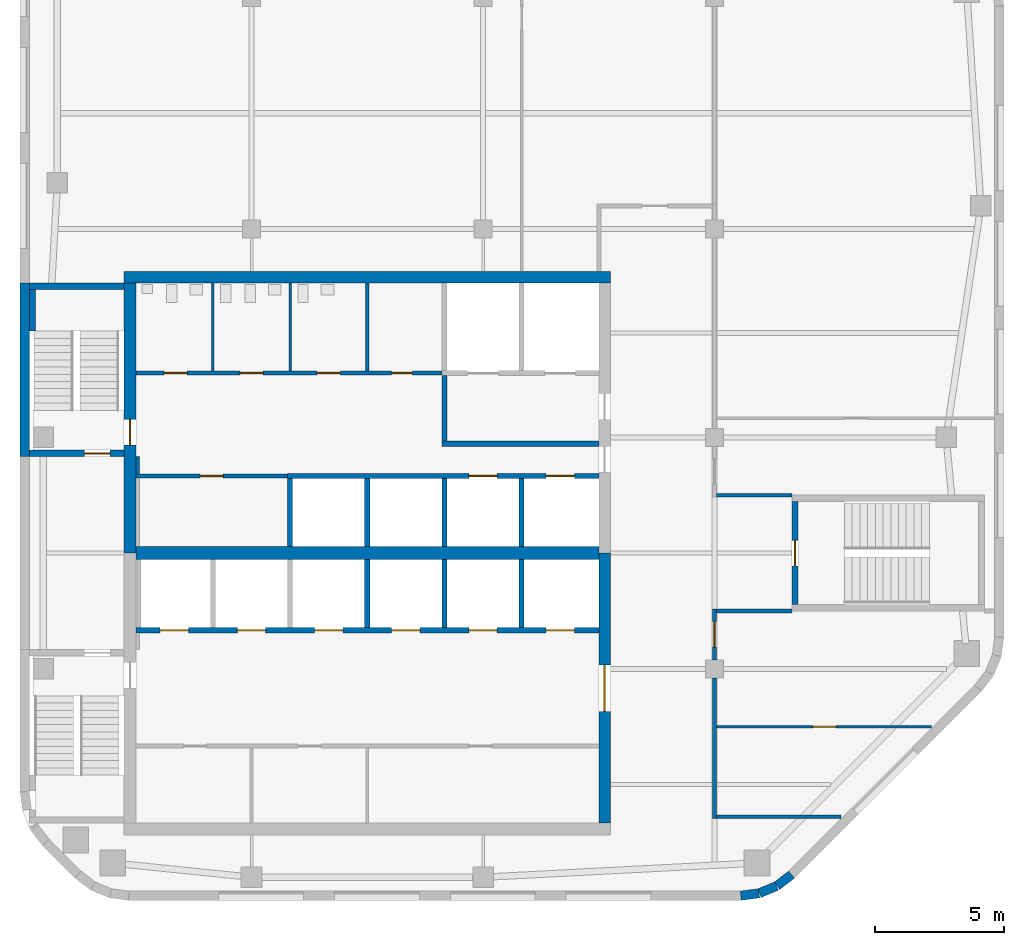
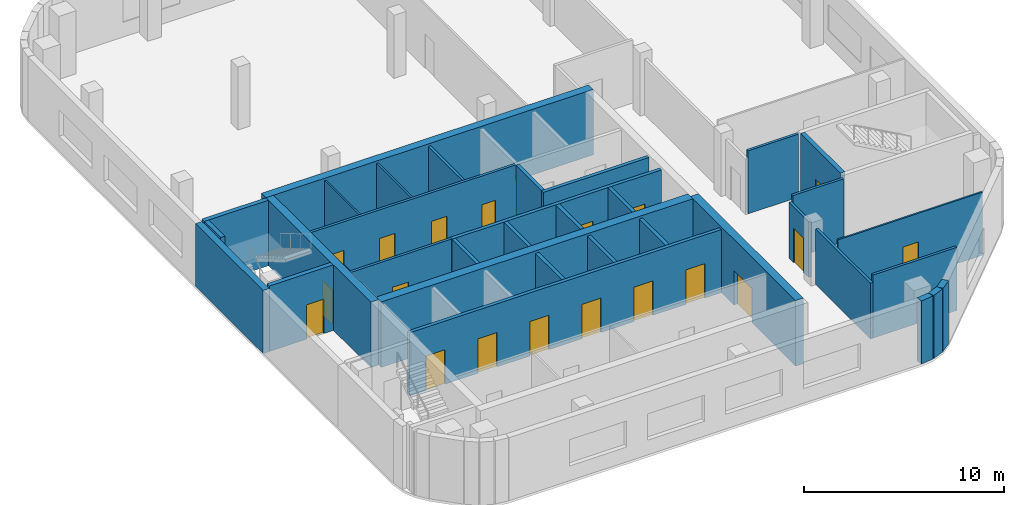
# One storey, part 3 of 7: 35 walls, 19 doors, 19 openings.
"""IFC4 building model written with IfcOpenShell, lengths in metres."""

from ifc_helpers import new_model, si_unit, direction, frame, frame_2d, origin, place, context, subcontext, project, spatial, rectangle, extrude, material, layer, layer_set, type_object, element, fill, save


model = new_model("IFC4")

# Units and contexts
model_context = context("Model", 3, precision=1e-05, world=origin(), true_north=direction((0.0, 1.0)))
body_context = subcontext(model_context, "Body", "Model", "MODEL_VIEW")
ifc_project = project(units=[si_unit("LENGTHUNIT", "METRE"), si_unit("AREAUNIT", "SQUARE_METRE"), si_unit("VOLUMEUNIT", "CUBIC_METRE"), si_unit("PLANEANGLEUNIT", "RADIAN"), si_unit("MASSUNIT", "GRAM", prefix="KILO")], contexts=[model_context])

# Site, building, storey
site_placement = place(None, origin())
site = spatial("IfcSite", under=ifc_project, at=site_placement, CompositionType="ELEMENT")
building_placement = place(site_placement, origin())
building = spatial("IfcBuilding", under=site, at=building_placement, Name="Cinnabar Reach Civic Tower", CompositionType="ELEMENT")
storey_placement = place(building_placement, frame((0.0, 0.0, 255.0)))
storey = spatial("IfcBuildingStorey", under=building, at=storey_placement, Name="L61", CompositionType="ELEMENT", Elevation=255.0)

# Walls
ifc_material_1 = material(Name="Facing brick with insulated backing", Category="masonry")
ifc_layer_1 = layer(ifc_material_1, 0.36)
ifc_layer_set_1 = layer_set([ifc_layer_1], Name="Brick corner wall")
wall_type_1 = type_object("IfcWallType", Name="Brick corner wall", PredefinedType="STANDARD", material=ifc_layer_set_1)
for number, where, z_axis, x_axis, name in (
    (1, (28.0186, 18.183, 0.0), (0.0, 0.0, 1.0), (0.99144092581, 0.13055608231, 0.0), "Brick corner wall"),
    (2, (28.7473, 18.2819, 0.0), (0.0, 0.0, 1.0), (0.923871547278, 0.382702709855, 0.0), "Brick corner wall"),
):
    element("IfcWall", number, at=place(storey_placement, frame(where, z_axis=z_axis, x_axis=x_axis)), inside=storey, type_object=wall_type_1, Name=name, PredefinedType="STANDARD", context=body_context, shape_type="SweptSolid", body=[
        extrude(rectangle(XDim=0.7131, YDim=0.36, at=frame_2d((0.3565, 0.0))), origin(), (0.0, 0.0, 1.0), 3.85),
    ])
wall_1_placement = place(storey_placement, frame((29.4255, 18.566, 0.0), z_axis=(0.0, 0.0, 1.0), x_axis=(0.793321924995, 0.608802368033, 0.0)))
element("IfcWall", 3, at=wall_1_placement, inside=storey, type_object=wall_type_1, Name="Brick corner wall", PredefinedType="STANDARD", context=body_context, shape_type="SweptSolid", body=[
    extrude(rectangle(XDim=0.7132, YDim=0.36, at=frame_2d((0.3566, 0.0))), origin(), (0.0, 0.0, 1.0), 3.85),
])
ifc_layer_2 = layer(ifc_material_1, 0.36)
ifc_layer_set_2 = layer_set([ifc_layer_2], Name="Brick pier and spandrel wall")
wall_type_2 = type_object("IfcWallType", Name="Brick pier and spandrel wall", PredefinedType="STANDARD", material=ifc_layer_set_2)
wall_2_placement = place(storey_placement, frame((0.18, 42.0, 0.0), z_axis=(0.0, 0.0, 1.0), x_axis=(0.0, -1.0, 0.0)))
element("IfcWall", 4, at=wall_2_placement, inside=storey, type_object=wall_type_2, Name="Brick facade wall", PredefinedType="STANDARD", context=body_context, shape_type="SweptSolid", body=[
    extrude(rectangle(XDim=6.75, YDim=0.36, at=frame_2d((3.375, 0.0))), origin(), (0.0, 0.0, 1.0), 3.85),
])
ifc_material_2 = material(Name="Concrete C60", Category="concrete")
ifc_layer_3 = layer(ifc_material_2, 0.45)
ifc_layer_set_3 = layer_set([ifc_layer_3], Name="Core wall 450 EI 180")
wall_type_3 = type_object("IfcWallType", Name="Core wall 450 EI 180", PredefinedType="SOLIDWALL", material=ifc_layer_set_3)
wall_3_placement = place(storey_placement, frame((22.95, 42.225, 0.0), z_axis=(0.0, 0.0, 1.0), x_axis=(-1.0, 0.0, 0.0)))
element("IfcWall", 5, at=wall_3_placement, inside=storey, type_object=wall_type_3, Name="Core wall T1 L61 N", PredefinedType="SOLIDWALL", context=body_context, shape_type="SweptSolid", body=[
    extrude(rectangle(XDim=18.9, YDim=0.45, at=frame_2d((9.45, 0.0))), origin(), (0.0, 0.0, 1.0), 4.0),
])

# Wall, opening, door
wall_4_placement = place(storey_placement, frame((22.725, 21.0, 0.0), z_axis=(0.0, 0.0, 1.0), x_axis=(0.0, 1.0, 0.0)))
wall_4 = element("IfcWall", 6, at=wall_4_placement, inside=storey, type_object=wall_type_3, Name="Core wall T1 L61 E", PredefinedType="SOLIDWALL", context=body_context, shape_type="SweptSolid", body=[
    extrude(rectangle(XDim=10.5, YDim=0.45, at=frame_2d((5.25, 0.0))), origin(), (0.0, 0.0, 1.0), 4.0),
])
opening_1_placement = place(wall_4_placement, frame((4.35, 0.0, 0.0)))
opening_1 = element("IfcOpeningElement", 7, at=opening_1_placement, cuts=wall_4, Name="Opening D5456", PredefinedType="OPENING", context=body_context, shape_type="SweptSolid", body=[
    extrude(rectangle(XDim=1.8, YDim=2.1, at=frame_2d((0.9, 1.05))), frame((0.0, 0.235, 0.0), z_axis=(0.0, -1.0, 0.0), x_axis=(1.0, 0.0, 0.0)), (0.0, 0.0, 1.0), 0.47),
])
ifc_material_3 = material(Name="Timber door leaf in steel frame", Category="steel")
door_type_1 = type_object("IfcDoorType", Name="Double swing door 1800 x 2100 T1", OperationType="DOUBLE_DOOR_DOUBLE_SWING", PredefinedType="DOOR", material=ifc_material_3)
door_1_placement = place(opening_1_placement, origin())
door_1 = element("IfcDoor", 8, at=door_1_placement, inside=storey, type_object=door_type_1, Name="Door D5456", OperationType="DOUBLE_DOOR_DOUBLE_SWING", OverallHeight=2.1, OverallWidth=1.8, PredefinedType="DOOR", context=body_context, shape_type="SweptSolid", body=[
    extrude(rectangle(XDim=1.8, YDim=2.1, at=frame_2d((0.9, 1.05))), frame((0.0, 0.025, 0.0), z_axis=(0.0, -1.0, 0.0), x_axis=(1.0, 0.0, 0.0)), (0.0, 0.0, 1.0), 0.05),
])
fill(opening_1, door_1)

wall_5_placement = place(storey_placement, frame((4.275, 42.0, 0.0), z_axis=(0.0, 0.0, 1.0), x_axis=(0.0, -1.0, 0.0)))
wall_5 = element("IfcWall", 9, at=wall_5_placement, inside=storey, type_object=wall_type_3, Name="Core wall T1 L61 W", PredefinedType="SOLIDWALL", context=body_context, shape_type="SweptSolid", body=[
    extrude(rectangle(XDim=10.5, YDim=0.45, at=frame_2d((5.25, 0.0))), origin(), (0.0, 0.0, 1.0), 4.0),
])
opening_2_placement = place(wall_5_placement, frame((5.3, 0.0, 0.0)))
opening_2 = element("IfcOpeningElement", 10, at=opening_2_placement, cuts=wall_5, Name="Opening D5444", PredefinedType="OPENING", context=body_context, shape_type="SweptSolid", body=[
    extrude(rectangle(XDim=1.0, YDim=2.1, at=frame_2d((0.5, 1.05))), frame((0.0, 0.235, 0.0), z_axis=(0.0, -1.0, 0.0), x_axis=(1.0, 0.0, 0.0)), (0.0, 0.0, 1.0), 0.47),
])
door_type_2 = type_object("IfcDoorType", Name="Stair door 1000 x 2100 T1", OperationType="SINGLE_SWING_LEFT", PredefinedType="DOOR", material=ifc_material_3)
door_2_placement = place(opening_2_placement, frame((1.0, 0.0, 0.0), z_axis=(0.0, 0.0, 1.0), x_axis=(-1.0, 0.0, 0.0)))
door_2 = element("IfcDoor", 11, at=door_2_placement, inside=storey, type_object=door_type_2, Name="Door D5444", OperationType="SINGLE_SWING_LEFT", OverallHeight=2.1, OverallWidth=1.0, PredefinedType="DOOR", context=body_context, shape_type="SweptSolid", body=[
    extrude(rectangle(XDim=1.0, YDim=2.1, at=frame_2d((0.5, 1.05))), frame((0.0, 0.025, 0.0), z_axis=(0.0, -1.0, 0.0), x_axis=(1.0, 0.0, 0.0)), (0.0, 0.0, 1.0), 0.05),
])
fill(opening_2, door_2)

# Wall
ifc_layer_4 = layer(ifc_material_2, 0.5)
ifc_layer_set_4 = layer_set([ifc_layer_4], Name="Core wall 500 EI 180")
wall_type_4 = type_object("IfcWallType", Name="Core wall 500 EI 180", PredefinedType="SOLIDWALL", material=ifc_layer_set_4)
wall_6_placement = place(storey_placement, frame((4.5, 31.5, 0.0), z_axis=(0.0, 0.0, 1.0), x_axis=(1.0, 0.0, 0.0)))
element("IfcWall", 12, at=wall_6_placement, inside=storey, type_object=wall_type_4, Name="Core spine wall T1 L61", PredefinedType="SOLIDWALL", context=body_context, shape_type="SweptSolid", body=[
    extrude(rectangle(XDim=18.0, YDim=0.5, at=frame_2d((9.0, 0.0))), origin(), (0.0, 0.0, 1.0), 4.0),
])

# Wall, openings, doors
ifc_material_4 = material(Name="Gypsum board on steel studs, double layer", Category="steel")
ifc_layer_5 = layer(ifc_material_4, 0.15)
ifc_layer_set_5 = layer_set([ifc_layer_5], Name="Corridor wall 150 T1")
wall_type_5 = type_object("IfcWallType", Name="Corridor wall 150 T1", PredefinedType="PARTITIONING", material=ifc_layer_set_5)
wall_7_placement = place(storey_placement, frame((4.5, 38.5, 0.0), z_axis=(0.0, 0.0, 1.0), x_axis=(1.0, 0.0, 0.0)))
wall_7 = element("IfcWall", 13, at=wall_7_placement, inside=storey, type_object=wall_type_5, Name="Corridor wall 19", PredefinedType="PARTITIONING", context=body_context, shape_type="SweptSolid", body=[
    extrude(rectangle(XDim=11.9, YDim=0.15, at=frame_2d((5.95, 0.0))), origin(), (0.0, 0.0, 1.0), 3.85),
])
opening_3_placement = place(wall_7_placement, frame((1.1, 0.0, 0.0)))
opening_3 = element("IfcOpeningElement", 14, at=opening_3_placement, cuts=wall_7, Name="Opening D5464", PredefinedType="OPENING", context=body_context, shape_type="SweptSolid", body=[
    extrude(rectangle(XDim=0.9, YDim=2.1, at=frame_2d((0.45, 1.05))), frame((0.0, 0.085, 0.0), z_axis=(0.0, -1.0, 0.0), x_axis=(1.0, 0.0, 0.0)), (0.0, 0.0, 1.0), 0.17),
])
opening_4_placement = place(wall_7_placement, frame((4.05, 0.0, 0.0)))
opening_4 = element("IfcOpeningElement", 15, at=opening_4_placement, cuts=wall_7, Name="Opening D5465", PredefinedType="OPENING", context=body_context, shape_type="SweptSolid", body=[
    extrude(rectangle(XDim=0.9, YDim=2.1, at=frame_2d((0.45, 1.05))), frame((0.0, 0.085, 0.0), z_axis=(0.0, -1.0, 0.0), x_axis=(1.0, 0.0, 0.0)), (0.0, 0.0, 1.0), 0.17),
])
opening_5_placement = place(wall_7_placement, frame((7.05, 0.0, 0.0)))
opening_5 = element("IfcOpeningElement", 16, at=opening_5_placement, cuts=wall_7, Name="Opening D5466", PredefinedType="OPENING", context=body_context, shape_type="SweptSolid", body=[
    extrude(rectangle(XDim=0.9, YDim=2.1, at=frame_2d((0.45, 1.05))), frame((0.0, 0.085, 0.0), z_axis=(0.0, -1.0, 0.0), x_axis=(1.0, 0.0, 0.0)), (0.0, 0.0, 1.0), 0.17),
])
opening_6_placement = place(wall_7_placement, frame((9.95, 0.0, 0.0)))
opening_6 = element("IfcOpeningElement", 17, at=opening_6_placement, cuts=wall_7, Name="Opening D5467", PredefinedType="OPENING", context=body_context, shape_type="SweptSolid", body=[
    extrude(rectangle(XDim=0.8, YDim=2.1, at=frame_2d((0.4, 1.05))), frame((0.0, 0.085, 0.0), z_axis=(0.0, -1.0, 0.0), x_axis=(1.0, 0.0, 0.0)), (0.0, 0.0, 1.0), 0.17),
])
door_type_3 = type_object("IfcDoorType", Name="Riser access door 800 x 2100 T1", OperationType="SINGLE_SWING_LEFT", PredefinedType="DOOR", material=ifc_material_3)
door_3_placement = place(opening_6_placement, origin())
door_3 = element("IfcDoor", 18, at=door_3_placement, inside=storey, type_object=door_type_3, Name="Door D5467", OperationType="SINGLE_SWING_LEFT", OverallHeight=2.1, OverallWidth=0.8, PredefinedType="DOOR", context=body_context, shape_type="SweptSolid", body=[
    extrude(rectangle(XDim=0.8, YDim=2.1, at=frame_2d((0.4, 1.05))), frame((0.0, 0.025, 0.0), z_axis=(0.0, -1.0, 0.0), x_axis=(1.0, 0.0, 0.0)), (0.0, 0.0, 1.0), 0.05),
])
fill(opening_6, door_3)
door_type_4 = type_object("IfcDoorType", Name="Single swing door 900 x 2100 corridor T1", OperationType="SINGLE_SWING_LEFT", PredefinedType="DOOR", material=ifc_material_3)
door_4_placement = place(opening_3_placement, origin())
door_4 = element("IfcDoor", 19, at=door_4_placement, inside=storey, type_object=door_type_4, Name="Door D5464", OperationType="SINGLE_SWING_LEFT", OverallHeight=2.1, OverallWidth=0.9, PredefinedType="DOOR", context=body_context, shape_type="SweptSolid", body=[
    extrude(rectangle(XDim=0.9, YDim=2.1, at=frame_2d((0.45, 1.05))), frame((0.0, 0.025, 0.0), z_axis=(0.0, -1.0, 0.0), x_axis=(1.0, 0.0, 0.0)), (0.0, 0.0, 1.0), 0.05),
])
fill(opening_3, door_4)
door_5_placement = place(opening_4_placement, origin())
door_5 = element("IfcDoor", 20, at=door_5_placement, inside=storey, type_object=door_type_4, Name="Door D5465", OperationType="SINGLE_SWING_RIGHT", OverallHeight=2.1, OverallWidth=0.9, PredefinedType="DOOR", context=body_context, shape_type="SweptSolid", body=[
    extrude(rectangle(XDim=0.9, YDim=2.1, at=frame_2d((0.45, 1.05))), frame((0.0, 0.025, 0.0), z_axis=(0.0, -1.0, 0.0), x_axis=(1.0, 0.0, 0.0)), (0.0, 0.0, 1.0), 0.05),
])
fill(opening_4, door_5)
door_6_placement = place(opening_5_placement, origin())
door_6 = element("IfcDoor", 21, at=door_6_placement, inside=storey, type_object=door_type_4, Name="Door D5466", OperationType="SINGLE_SWING_LEFT", OverallHeight=2.1, OverallWidth=0.9, PredefinedType="DOOR", context=body_context, shape_type="SweptSolid", body=[
    extrude(rectangle(XDim=0.9, YDim=2.1, at=frame_2d((0.45, 1.05))), frame((0.0, 0.025, 0.0), z_axis=(0.0, -1.0, 0.0), x_axis=(1.0, 0.0, 0.0)), (0.0, 0.0, 1.0), 0.05),
])
fill(opening_5, door_6)

# Wall
wall_8_placement = place(storey_placement, frame((27.0, 21.175, 0.0), z_axis=(0.0, 0.0, 1.0), x_axis=(0.0, 1.0, 0.0)))
element("IfcWall", 22, at=wall_8_placement, inside=storey, type_object=wall_type_5, Name="Corridor wall 23", PredefinedType="PARTITIONING", context=body_context, shape_type="SweptSolid", body=[
    extrude(rectangle(XDim=5.475, YDim=0.15, at=frame_2d((2.7375, 0.0))), origin(), (0.0, 0.0, 1.0), 3.4),
])

# Wall, opening, door
wall_9_placement = place(storey_placement, frame((27.0, 27.35, 0.0), z_axis=(0.0, 0.0, 1.0), x_axis=(0.0, 1.0, 0.0)))
wall_9 = element("IfcWall", 23, at=wall_9_placement, inside=storey, type_object=wall_type_5, Name="Corridor wall 24", PredefinedType="PARTITIONING", context=body_context, shape_type="SweptSolid", body=[
    extrude(rectangle(XDim=1.975, YDim=0.15, at=frame_2d((0.9875, 0.0))), origin(), (0.0, 0.0, 1.0), 3.4),
])
opening_7_placement = place(wall_9_placement, frame((0.5, 0.0, 0.0)))
opening_7 = element("IfcOpeningElement", 24, at=opening_7_placement, cuts=wall_9, Name="Opening D5470", PredefinedType="OPENING", context=body_context, shape_type="SweptSolid", body=[
    extrude(rectangle(XDim=1.0, YDim=2.1, at=frame_2d((0.5, 1.05))), frame((0.0, 0.085, 0.0), z_axis=(0.0, -1.0, 0.0), x_axis=(1.0, 0.0, 0.0)), (0.0, 0.0, 1.0), 0.17),
])
door_type_5 = type_object("IfcDoorType", Name="Tenancy entrance door 1000 x 2100 T1", OperationType="SINGLE_SWING_LEFT", PredefinedType="DOOR", material=ifc_material_3)
door_7_placement = place(opening_7_placement, frame((1.0, 0.0, 0.0), z_axis=(0.0, 0.0, 1.0), x_axis=(-1.0, 0.0, 0.0)))
door_7 = element("IfcDoor", 25, at=door_7_placement, inside=storey, type_object=door_type_5, Name="Door D5470", OperationType="SINGLE_SWING_LEFT", OverallHeight=2.1, OverallWidth=1.0, PredefinedType="DOOR", context=body_context, shape_type="SweptSolid", body=[
    extrude(rectangle(XDim=1.0, YDim=2.1, at=frame_2d((0.5, 1.05))), frame((0.0, 0.025, 0.0), z_axis=(0.0, -1.0, 0.0), x_axis=(1.0, 0.0, 0.0)), (0.0, 0.0, 1.0), 0.05),
])
fill(opening_7, door_7)

wall_10_placement = place(storey_placement, frame((4.5, 34.5, 0.0), z_axis=(0.0, 0.0, 1.0), x_axis=(1.0, 0.0, 0.0)))
wall_10 = element("IfcWall", 26, at=wall_10_placement, inside=storey, type_object=wall_type_5, Name="Corridor wall 25", PredefinedType="PARTITIONING", context=body_context, shape_type="SweptSolid", body=[
    extrude(rectangle(XDim=5.9, YDim=0.15, at=frame_2d((2.95, 0.0))), origin(), (0.0, 0.0, 1.0), 3.85),
])
opening_8_placement = place(wall_10_placement, frame((2.5, 0.0, 0.0)))
opening_8 = element("IfcOpeningElement", 27, at=opening_8_placement, cuts=wall_10, Name="Opening D5463", PredefinedType="OPENING", context=body_context, shape_type="SweptSolid", body=[
    extrude(rectangle(XDim=0.9, YDim=2.1, at=frame_2d((0.45, 1.05))), frame((0.0, 0.085, 0.0), z_axis=(0.0, -1.0, 0.0), x_axis=(1.0, 0.0, 0.0)), (0.0, 0.0, 1.0), 0.17),
])
door_8_placement = place(opening_8_placement, frame((0.9, 0.0, 0.0), z_axis=(0.0, 0.0, 1.0), x_axis=(-1.0, 0.0, 0.0)))
door_8 = element("IfcDoor", 28, at=door_8_placement, inside=storey, type_object=door_type_4, Name="Door D5463", OperationType="SINGLE_SWING_LEFT", OverallHeight=2.1, OverallWidth=0.9, PredefinedType="DOOR", context=body_context, shape_type="SweptSolid", body=[
    extrude(rectangle(XDim=0.9, YDim=2.1, at=frame_2d((0.45, 1.05))), frame((0.0, 0.025, 0.0), z_axis=(0.0, -1.0, 0.0), x_axis=(1.0, 0.0, 0.0)), (0.0, 0.0, 1.0), 0.05),
])
fill(opening_8, door_8)

# Walls
wall_11_placement = place(storey_placement, frame((27.075, 21.25, 0.0), z_axis=(0.0, 0.0, 1.0), x_axis=(1.0, 0.0, 0.0)))
element("IfcWall", 29, at=wall_11_placement, inside=storey, type_object=wall_type_5, Name="Corridor wall 26", PredefinedType="PARTITIONING", context=body_context, shape_type="SweptSolid", body=[
    extrude(rectangle(XDim=4.841, YDim=0.15, at=frame_2d((2.4205, 0.0))), origin(), (0.0, 0.0, 1.0), 3.85),
])
wall_12_placement = place(storey_placement, frame((4.575, 34.575, 0.0), z_axis=(0.0, 0.0, 1.0), x_axis=(0.0, 1.0, 0.0)))
element("IfcWall", 30, at=wall_12_placement, inside=storey, type_object=wall_type_5, Name="Corridor wall 28", PredefinedType="PARTITIONING", context=body_context, shape_type="SweptSolid", body=[
    extrude(rectangle(XDim=0.675, YDim=0.15, at=frame_2d((0.3375, 0.0))), origin(), (0.0, 0.0, 1.0), 3.85),
])
for number, where, z_axis, x_axis, name in (
    (31, (27.075, 29.25, 0.0), (0.0, 0.0, 1.0), (1.0, 0.0, 0.0), "Corridor wall 30"),
    (32, (27.075, 33.75, 0.0), (0.0, 0.0, 1.0), (1.0, 0.0, 0.0), "Corridor wall 31"),
):
    element("IfcWall", number, at=place(storey_placement, frame(where, z_axis=z_axis, x_axis=x_axis)), inside=storey, type_object=wall_type_5, Name=name, PredefinedType="PARTITIONING", context=body_context, shape_type="SweptSolid", body=[
        extrude(rectangle(XDim=2.925, YDim=0.15, at=frame_2d((1.4625, 0.0))), origin(), (0.0, 0.0, 1.0), 3.85),
    ])

# Wall, openings, doors
ifc_material_5 = material(Name="Blockwork", Category="masonry")
ifc_layer_6 = layer(ifc_material_5, 0.2)
ifc_layer_set_6 = layer_set([ifc_layer_6], Name="Lift shaft wall 200 T1")
wall_type_6 = type_object("IfcWallType", Name="Lift shaft wall 200 T1", PredefinedType="PARTITIONING", material=ifc_layer_set_6)
wall_13_placement = place(storey_placement, frame((4.5, 28.5, 0.0), z_axis=(0.0, 0.0, 1.0), x_axis=(1.0, 0.0, 0.0)))
wall_13 = element("IfcWall", 33, at=wall_13_placement, inside=storey, type_object=wall_type_6, Name="Lift shaft wall 4", PredefinedType="PARTITIONING", context=body_context, shape_type="SweptSolid", body=[
    extrude(rectangle(XDim=18.0, YDim=0.2, at=frame_2d((9.0, 0.0))), origin(), (0.0, 0.0, 1.0), 3.85),
])
opening_9_placement = place(wall_13_placement, frame((0.95, 0.0, 0.0)))
opening_9 = element("IfcOpeningElement", 34, at=opening_9_placement, cuts=wall_13, Name="Opening D5446", PredefinedType="OPENING", context=body_context, shape_type="SweptSolid", body=[
    extrude(rectangle(XDim=1.1, YDim=2.1, at=frame_2d((0.55, 1.05))), frame((0.0, 0.11, 0.0), z_axis=(0.0, -1.0, 0.0), x_axis=(1.0, 0.0, 0.0)), (0.0, 0.0, 1.0), 0.22),
])
opening_10_placement = place(wall_13_placement, frame((3.95, 0.0, 0.0)))
opening_10 = element("IfcOpeningElement", 35, at=opening_10_placement, cuts=wall_13, Name="Opening D5447", PredefinedType="OPENING", context=body_context, shape_type="SweptSolid", body=[
    extrude(rectangle(XDim=1.1, YDim=2.1, at=frame_2d((0.55, 1.05))), frame((0.0, 0.11, 0.0), z_axis=(0.0, -1.0, 0.0), x_axis=(1.0, 0.0, 0.0)), (0.0, 0.0, 1.0), 0.22),
])
opening_11_placement = place(wall_13_placement, frame((6.95, 0.0, 0.0)))
opening_11 = element("IfcOpeningElement", 36, at=opening_11_placement, cuts=wall_13, Name="Opening D5448", PredefinedType="OPENING", context=body_context, shape_type="SweptSolid", body=[
    extrude(rectangle(XDim=1.1, YDim=2.1, at=frame_2d((0.55, 1.05))), frame((0.0, 0.11, 0.0), z_axis=(0.0, -1.0, 0.0), x_axis=(1.0, 0.0, 0.0)), (0.0, 0.0, 1.0), 0.22),
])
opening_12_placement = place(wall_13_placement, frame((9.95, 0.0, 0.0)))
opening_12 = element("IfcOpeningElement", 37, at=opening_12_placement, cuts=wall_13, Name="Opening D5449", PredefinedType="OPENING", context=body_context, shape_type="SweptSolid", body=[
    extrude(rectangle(XDim=1.1, YDim=2.1, at=frame_2d((0.55, 1.05))), frame((0.0, 0.11, 0.0), z_axis=(0.0, -1.0, 0.0), x_axis=(1.0, 0.0, 0.0)), (0.0, 0.0, 1.0), 0.22),
])
opening_13_placement = place(wall_13_placement, frame((12.95, 0.0, 0.0)))
opening_13 = element("IfcOpeningElement", 38, at=opening_13_placement, cuts=wall_13, Name="Opening D5450", PredefinedType="OPENING", context=body_context, shape_type="SweptSolid", body=[
    extrude(rectangle(XDim=1.1, YDim=2.1, at=frame_2d((0.55, 1.05))), frame((0.0, 0.11, 0.0), z_axis=(0.0, -1.0, 0.0), x_axis=(1.0, 0.0, 0.0)), (0.0, 0.0, 1.0), 0.22),
])
opening_14_placement = place(wall_13_placement, frame((15.95, 0.0, 0.0)))
opening_14 = element("IfcOpeningElement", 39, at=opening_14_placement, cuts=wall_13, Name="Opening D5451", PredefinedType="OPENING", context=body_context, shape_type="SweptSolid", body=[
    extrude(rectangle(XDim=1.1, YDim=2.1, at=frame_2d((0.55, 1.05))), frame((0.0, 0.11, 0.0), z_axis=(0.0, -1.0, 0.0), x_axis=(1.0, 0.0, 0.0)), (0.0, 0.0, 1.0), 0.22),
])
ifc_material_6 = material(Name="Stainless steel sliding door", Category="steel")
door_type_6 = type_object("IfcDoorType", Name="Lift landing door 1100 x 2100 T1", OperationType="SLIDING_TO_LEFT", PredefinedType="DOOR", material=ifc_material_6)
door_9_placement = place(opening_9_placement, origin())
door_9 = element("IfcDoor", 40, at=door_9_placement, inside=storey, type_object=door_type_6, Name="Lift landing door HR1 L61", OperationType="SLIDING_TO_LEFT", OverallHeight=2.1, OverallWidth=1.1, PredefinedType="DOOR", context=body_context, shape_type="SweptSolid", body=[
    extrude(rectangle(XDim=1.1, YDim=2.1, at=frame_2d((0.55, 1.05))), frame((0.0, 0.025, 0.0), z_axis=(0.0, -1.0, 0.0), x_axis=(1.0, 0.0, 0.0)), (0.0, 0.0, 1.0), 0.05),
])
fill(opening_9, door_9)
door_10_placement = place(opening_10_placement, origin())
door_10 = element("IfcDoor", 41, at=door_10_placement, inside=storey, type_object=door_type_6, Name="Lift landing door HR2 L61", OperationType="SLIDING_TO_LEFT", OverallHeight=2.1, OverallWidth=1.1, PredefinedType="DOOR", context=body_context, shape_type="SweptSolid", body=[
    extrude(rectangle(XDim=1.1, YDim=2.1, at=frame_2d((0.55, 1.05))), frame((0.0, 0.025, 0.0), z_axis=(0.0, -1.0, 0.0), x_axis=(1.0, 0.0, 0.0)), (0.0, 0.0, 1.0), 0.05),
])
fill(opening_10, door_10)
door_11_placement = place(opening_11_placement, origin())
door_11 = element("IfcDoor", 42, at=door_11_placement, inside=storey, type_object=door_type_6, Name="Lift landing door HR3 L61", OperationType="SLIDING_TO_LEFT", OverallHeight=2.1, OverallWidth=1.1, PredefinedType="DOOR", context=body_context, shape_type="SweptSolid", body=[
    extrude(rectangle(XDim=1.1, YDim=2.1, at=frame_2d((0.55, 1.05))), frame((0.0, 0.025, 0.0), z_axis=(0.0, -1.0, 0.0), x_axis=(1.0, 0.0, 0.0)), (0.0, 0.0, 1.0), 0.05),
])
fill(opening_11, door_11)
door_12_placement = place(opening_12_placement, origin())
door_12 = element("IfcDoor", 43, at=door_12_placement, inside=storey, type_object=door_type_6, Name="Lift landing door HR4 L61", OperationType="SLIDING_TO_LEFT", OverallHeight=2.1, OverallWidth=1.1, PredefinedType="DOOR", context=body_context, shape_type="SweptSolid", body=[
    extrude(rectangle(XDim=1.1, YDim=2.1, at=frame_2d((0.55, 1.05))), frame((0.0, 0.025, 0.0), z_axis=(0.0, -1.0, 0.0), x_axis=(1.0, 0.0, 0.0)), (0.0, 0.0, 1.0), 0.05),
])
fill(opening_12, door_12)
door_13_placement = place(opening_13_placement, origin())
door_13 = element("IfcDoor", 44, at=door_13_placement, inside=storey, type_object=door_type_6, Name="Lift landing door HR5 L61", OperationType="SLIDING_TO_LEFT", OverallHeight=2.1, OverallWidth=1.1, PredefinedType="DOOR", context=body_context, shape_type="SweptSolid", body=[
    extrude(rectangle(XDim=1.1, YDim=2.1, at=frame_2d((0.55, 1.05))), frame((0.0, 0.025, 0.0), z_axis=(0.0, -1.0, 0.0), x_axis=(1.0, 0.0, 0.0)), (0.0, 0.0, 1.0), 0.05),
])
fill(opening_13, door_13)
door_14_placement = place(opening_14_placement, origin())
door_14 = element("IfcDoor", 45, at=door_14_placement, inside=storey, type_object=door_type_6, Name="Lift landing door HR6 L61", OperationType="SLIDING_TO_LEFT", OverallHeight=2.1, OverallWidth=1.1, PredefinedType="DOOR", context=body_context, shape_type="SweptSolid", body=[
    extrude(rectangle(XDim=1.1, YDim=2.1, at=frame_2d((0.55, 1.05))), frame((0.0, 0.025, 0.0), z_axis=(0.0, -1.0, 0.0), x_axis=(1.0, 0.0, 0.0)), (0.0, 0.0, 1.0), 0.05),
])
fill(opening_14, door_14)

wall_14_placement = place(storey_placement, frame((10.4, 34.5, 0.0), z_axis=(0.0, 0.0, 1.0), x_axis=(1.0, 0.0, 0.0)))
wall_14 = element("IfcWall", 46, at=wall_14_placement, inside=storey, type_object=wall_type_6, Name="Lift shaft wall 5", PredefinedType="PARTITIONING", context=body_context, shape_type="SweptSolid", body=[
    extrude(rectangle(XDim=12.1, YDim=0.2, at=frame_2d((6.05, 0.0))), origin(), (0.0, 0.0, 1.0), 3.85),
])
opening_15_placement = place(wall_14_placement, frame((7.05, 0.0, 0.0)))
opening_15 = element("IfcOpeningElement", 47, at=opening_15_placement, cuts=wall_14, Name="Opening D5452", PredefinedType="OPENING", context=body_context, shape_type="SweptSolid", body=[
    extrude(rectangle(XDim=1.1, YDim=2.1, at=frame_2d((0.55, 1.05))), frame((0.0, 0.11, 0.0), z_axis=(0.0, -1.0, 0.0), x_axis=(1.0, 0.0, 0.0)), (0.0, 0.0, 1.0), 0.22),
])
opening_16_placement = place(wall_14_placement, frame((10.05, 0.0, 0.0)))
opening_16 = element("IfcOpeningElement", 48, at=opening_16_placement, cuts=wall_14, Name="Opening D5453", PredefinedType="OPENING", context=body_context, shape_type="SweptSolid", body=[
    extrude(rectangle(XDim=1.1, YDim=2.1, at=frame_2d((0.55, 1.05))), frame((0.0, 0.11, 0.0), z_axis=(0.0, -1.0, 0.0), x_axis=(1.0, 0.0, 0.0)), (0.0, 0.0, 1.0), 0.22),
])
door_15_placement = place(opening_15_placement, origin())
door_15 = element("IfcDoor", 49, at=door_15_placement, inside=storey, type_object=door_type_6, Name="Lift landing door SV1 L61", OperationType="SLIDING_TO_LEFT", OverallHeight=2.1, OverallWidth=1.1, PredefinedType="DOOR", context=body_context, shape_type="SweptSolid", body=[
    extrude(rectangle(XDim=1.1, YDim=2.1, at=frame_2d((0.55, 1.05))), frame((0.0, 0.025, 0.0), z_axis=(0.0, -1.0, 0.0), x_axis=(1.0, 0.0, 0.0)), (0.0, 0.0, 1.0), 0.05),
])
fill(opening_15, door_15)
door_16_placement = place(opening_16_placement, origin())
door_16 = element("IfcDoor", 50, at=door_16_placement, inside=storey, type_object=door_type_6, Name="Lift landing door SV2 L61", OperationType="SLIDING_TO_LEFT", OverallHeight=2.1, OverallWidth=1.1, PredefinedType="DOOR", context=body_context, shape_type="SweptSolid", body=[
    extrude(rectangle(XDim=1.1, YDim=2.1, at=frame_2d((0.55, 1.05))), frame((0.0, 0.025, 0.0), z_axis=(0.0, -1.0, 0.0), x_axis=(1.0, 0.0, 0.0)), (0.0, 0.0, 1.0), 0.05),
])
fill(opening_16, door_16)

# Walls
for number, where, z_axis, x_axis, name in (
    (51, (10.5, 31.75, 0.0), (0.0, 0.0, 1.0), (0.0, 1.0, 0.0), "Lift shaft wall 7"),
    (52, (13.5, 28.6, 0.0), (0.0, 0.0, 1.0), (0.0, 1.0, 0.0), "Lift shaft wall 8"),
    (53, (13.5, 31.75, 0.0), (0.0, 0.0, 1.0), (0.0, 1.0, 0.0), "Lift shaft wall 9"),
    (54, (16.5, 28.6, 0.0), (0.0, 0.0, 1.0), (0.0, 1.0, 0.0), "Lift shaft wall 10"),
    (55, (16.5, 31.75, 0.0), (0.0, 0.0, 1.0), (0.0, 1.0, 0.0), "Lift shaft wall 11"),
    (56, (19.5, 28.6, 0.0), (0.0, 0.0, 1.0), (0.0, 1.0, 0.0), "Lift shaft wall 12"),
    (57, (19.5, 31.75, 0.0), (0.0, 0.0, 1.0), (0.0, 1.0, 0.0), "Lift shaft wall 13"),
):
    element("IfcWall", number, at=place(storey_placement, frame(where, z_axis=z_axis, x_axis=x_axis)), inside=storey, type_object=wall_type_6, Name=name, PredefinedType="PARTITIONING", context=body_context, shape_type="SweptSolid", body=[
        extrude(rectangle(XDim=2.65, YDim=0.2, at=frame_2d((1.325, 0.0))), origin(), (0.0, 0.0, 1.0), 3.85),
    ])

# Wall, opening, door
ifc_material_7 = material(Name="Gypsum board on steel studs", Category="steel")
ifc_layer_7 = layer(ifc_material_7, 0.1)
ifc_layer_set_7 = layer_set([ifc_layer_7], Name="Partition wall 100 T1")
wall_type_7 = type_object("IfcWallType", Name="Partition wall 100 T1", PredefinedType="PARTITIONING", material=ifc_layer_set_7)
wall_15_placement = place(storey_placement, frame((27.075, 24.75, 0.0), z_axis=(0.0, 0.0, 1.0), x_axis=(1.0, 0.0, 0.0)))
wall_15 = element("IfcWall", 58, at=wall_15_placement, inside=storey, type_object=wall_type_7, Name="Partition wall 40", PredefinedType="PARTITIONING", context=body_context, shape_type="SweptSolid", body=[
    extrude(rectangle(XDim=8.3659, YDim=0.1, at=frame_2d((4.1829, 0.0))), origin(), (0.0, 0.0, 1.0), 3.85),
])
opening_17_placement = place(wall_15_placement, frame((3.75, 0.0, 0.0)))
opening_17 = element("IfcOpeningElement", 59, at=opening_17_placement, cuts=wall_15, Name="Opening D5471", PredefinedType="OPENING", context=body_context, shape_type="SweptSolid", body=[
    extrude(rectangle(XDim=0.9, YDim=2.1, at=frame_2d((0.45, 1.05))), frame((0.0, 0.06, 0.0), z_axis=(0.0, -1.0, 0.0), x_axis=(1.0, 0.0, 0.0)), (0.0, 0.0, 1.0), 0.12),
])
door_type_7 = type_object("IfcDoorType", Name="Single swing door 900 x 2100 T1", OperationType="SINGLE_SWING_LEFT", PredefinedType="DOOR", material=ifc_material_3)
door_17_placement = place(opening_17_placement, frame((0.9, 0.0, 0.0), z_axis=(0.0, 0.0, 1.0), x_axis=(-1.0, 0.0, 0.0)))
door_17 = element("IfcDoor", 60, at=door_17_placement, inside=storey, type_object=door_type_7, Name="Door D5471", OperationType="SINGLE_SWING_RIGHT", OverallHeight=2.1, OverallWidth=0.9, PredefinedType="DOOR", context=body_context, shape_type="SweptSolid", body=[
    extrude(rectangle(XDim=0.9, YDim=2.1, at=frame_2d((0.45, 1.05))), frame((0.0, 0.025, 0.0), z_axis=(0.0, -1.0, 0.0), x_axis=(1.0, 0.0, 0.0)), (0.0, 0.0, 1.0), 0.05),
])
fill(opening_17, door_17)

# Walls
for number, where, z_axis, x_axis, name in (
    (61, (7.5, 38.575, 0.0), (0.0, 0.0, 1.0), (0.0, 1.0, 0.0), "Partition wall 41"),
    (62, (10.5, 38.575, 0.0), (0.0, 0.0, 1.0), (0.0, 1.0, 0.0), "Partition wall 42"),
):
    element("IfcWall", number, at=place(storey_placement, frame(where, z_axis=z_axis, x_axis=x_axis)), inside=storey, type_object=wall_type_7, Name=name, PredefinedType="PARTITIONING", context=body_context, shape_type="SweptSolid", body=[
        extrude(rectangle(XDim=3.425, YDim=0.1, at=frame_2d((1.7125, 0.0))), origin(), (0.0, 0.0, 1.0), 3.85),
    ])
ifc_material_8 = material(Name="Concrete C40", Category="concrete")
ifc_layer_8 = layer(ifc_material_8, 0.2)
ifc_layer_set_8 = layer_set([ifc_layer_8], Name="Refuge compartment wall 200 T1")
wall_type_8 = type_object("IfcWallType", Name="Refuge compartment wall 200 T1", PredefinedType="PARTITIONING", material=ifc_layer_set_8)
wall_16_placement = place(storey_placement, frame((16.4, 35.75, 0.0), z_axis=(0.0, 0.0, 1.0), x_axis=(1.0, 0.0, 0.0)))
element("IfcWall", 63, at=wall_16_placement, inside=storey, type_object=wall_type_8, Name="Refuge compartment wall 1", PredefinedType="PARTITIONING", context=body_context, shape_type="SweptSolid", body=[
    extrude(rectangle(XDim=6.1, YDim=0.2, at=frame_2d((3.05, 0.0))), origin(), (0.0, 0.0, 1.0), 3.85),
])
wall_17_placement = place(storey_placement, frame((16.5, 35.85, 0.0), z_axis=(0.0, 0.0, 1.0), x_axis=(0.0, 1.0, 0.0)))
element("IfcWall", 64, at=wall_17_placement, inside=storey, type_object=wall_type_8, Name="Refuge compartment wall 3", PredefinedType="PARTITIONING", context=body_context, shape_type="SweptSolid", body=[
    extrude(rectangle(XDim=2.55, YDim=0.2, at=frame_2d((1.275, 0.0))), origin(), (0.0, 0.0, 1.0), 3.85),
])
ifc_layer_9 = layer(ifc_material_5, 0.15)
ifc_layer_set_9 = layer_set([ifc_layer_9], Name="Riser wall 150 T1")
wall_type_9 = type_object("IfcWallType", Name="Riser wall 150 T1", PredefinedType="PARTITIONING", material=ifc_layer_set_9)
wall_18_placement = place(storey_placement, frame((13.5, 38.575, 0.0), z_axis=(0.0, 0.0, 1.0), x_axis=(0.0, 1.0, 0.0)))
element("IfcWall", 65, at=wall_18_placement, inside=storey, type_object=wall_type_9, Name="Riser wall 34", PredefinedType="PARTITIONING", context=body_context, shape_type="SweptSolid", body=[
    extrude(rectangle(XDim=3.425, YDim=0.15, at=frame_2d((1.7125, 0.0))), origin(), (0.0, 0.0, 1.0), 3.85),
])

# Wall, opening, door
ifc_layer_10 = layer(ifc_material_2, 0.25)
ifc_layer_set_10 = layer_set([ifc_layer_10], Name="Stair shaft wall 250 EI 120")
wall_type_10 = type_object("IfcWallType", Name="Stair shaft wall 250 EI 120", PredefinedType="SOLIDWALL", material=ifc_layer_set_10)
wall_19_placement = place(storey_placement, frame((0.36, 35.375, 0.0), z_axis=(0.0, 0.0, 1.0), x_axis=(1.0, 0.0, 0.0)))
wall_19 = element("IfcWall", 66, at=wall_19_placement, inside=storey, type_object=wall_type_10, Name="Stair shaft wall T1-S2 L61", PredefinedType="SOLIDWALL", context=body_context, shape_type="SweptSolid", body=[
    extrude(rectangle(XDim=3.69, YDim=0.25, at=frame_2d((1.845, 0.0))), origin(), (0.0, 0.0, 1.0), 4.0),
])
opening_18_placement = place(wall_19_placement, frame((2.14, 0.0, 0.0)))
opening_18 = element("IfcOpeningElement", 67, at=opening_18_placement, cuts=wall_19, Name="Opening D5445", PredefinedType="OPENING", context=body_context, shape_type="SweptSolid", body=[
    extrude(rectangle(XDim=1.0, YDim=2.1, at=frame_2d((0.5, 1.05))), frame((0.0, 0.135, 0.0), z_axis=(0.0, -1.0, 0.0), x_axis=(1.0, 0.0, 0.0)), (0.0, 0.0, 1.0), 0.27),
])
door_18_placement = place(opening_18_placement, origin())
door_18 = element("IfcDoor", 68, at=door_18_placement, inside=storey, type_object=door_type_2, Name="Door D5445", OperationType="SINGLE_SWING_RIGHT", OverallHeight=2.1, OverallWidth=1.0, PredefinedType="DOOR", context=body_context, shape_type="SweptSolid", body=[
    extrude(rectangle(XDim=1.0, YDim=2.1, at=frame_2d((0.5, 1.05))), frame((0.0, 0.025, 0.0), z_axis=(0.0, -1.0, 0.0), x_axis=(1.0, 0.0, 0.0)), (0.0, 0.0, 1.0), 0.05),
])
fill(opening_18, door_18)

# Wall
wall_20_placement = place(storey_placement, frame((4.05, 41.875, 0.0), z_axis=(0.0, 0.0, 1.0), x_axis=(-1.0, 0.0, 0.0)))
element("IfcWall", 69, at=wall_20_placement, inside=storey, type_object=wall_type_10, Name="Stair shaft wall T1-S2 L61", PredefinedType="SOLIDWALL", context=body_context, shape_type="SweptSolid", body=[
    extrude(rectangle(XDim=3.69, YDim=0.25, at=frame_2d((1.845, 0.0))), origin(), (0.0, 0.0, 1.0), 4.0),
])

# Wall, opening, door
wall_21_placement = place(storey_placement, frame((30.125, 33.5, 0.0), z_axis=(0.0, 0.0, 1.0), x_axis=(0.0, -1.0, 0.0)))
wall_21 = element("IfcWall", 70, at=wall_21_placement, inside=storey, type_object=wall_type_10, Name="Stair shaft wall T1-S3 L61", PredefinedType="SOLIDWALL", context=body_context, shape_type="SweptSolid", body=[
    extrude(rectangle(XDim=4.0, YDim=0.25, at=frame_2d((2.0, 0.0))), origin(), (0.0, 0.0, 1.0), 4.0),
])
opening_19_placement = place(wall_21_placement, frame((1.5, 0.0, 0.0)))
opening_19 = element("IfcOpeningElement", 71, at=opening_19_placement, cuts=wall_21, Name="Opening D5459", PredefinedType="OPENING", context=body_context, shape_type="SweptSolid", body=[
    extrude(rectangle(XDim=1.0, YDim=2.1, at=frame_2d((0.5, 1.05))), frame((0.0, 0.135, 0.0), z_axis=(0.0, -1.0, 0.0), x_axis=(1.0, 0.0, 0.0)), (0.0, 0.0, 1.0), 0.27),
])
door_19_placement = place(opening_19_placement, origin())
door_19 = element("IfcDoor", 72, at=door_19_placement, inside=storey, type_object=door_type_2, Name="Door D5459", OperationType="SINGLE_SWING_RIGHT", OverallHeight=2.1, OverallWidth=1.0, PredefinedType="DOOR", context=body_context, shape_type="SweptSolid", body=[
    extrude(rectangle(XDim=1.0, YDim=2.1, at=frame_2d((0.5, 1.05))), frame((0.0, 0.025, 0.0), z_axis=(0.0, -1.0, 0.0), x_axis=(1.0, 0.0, 0.0)), (0.0, 0.0, 1.0), 0.05),
])
fill(opening_19, door_19)

# Wall
ifc_material_9 = material(Name="Concrete C40/50", Category="concrete")
ifc_layer_11 = layer(ifc_material_9, 0.24)
ifc_layer_set_11 = layer_set([ifc_layer_11], Name="T1 landing bearer wall 240")
wall_type_11 = type_object("IfcWallType", Name="T1 landing bearer wall 240", PredefinedType="STANDARD", material=ifc_layer_set_11)
wall_22_placement = place(storey_placement, frame((0.48, 40.13, 0.0), z_axis=(0.0, 0.0, 1.0), x_axis=(0.0, 1.0, 0.0)))
element("IfcWall", 73, at=wall_22_placement, inside=storey, type_object=wall_type_11, Name="T1-S2 landing bearer wall", PredefinedType="STANDARD", context=body_context, shape_type="SweptSolid", body=[
    extrude(rectangle(XDim=1.62, YDim=0.24, at=frame_2d((0.81, 0.0))), origin(), (0.0, 0.0, 1.0), 4.0),
])

save(model, "model.ifc")
